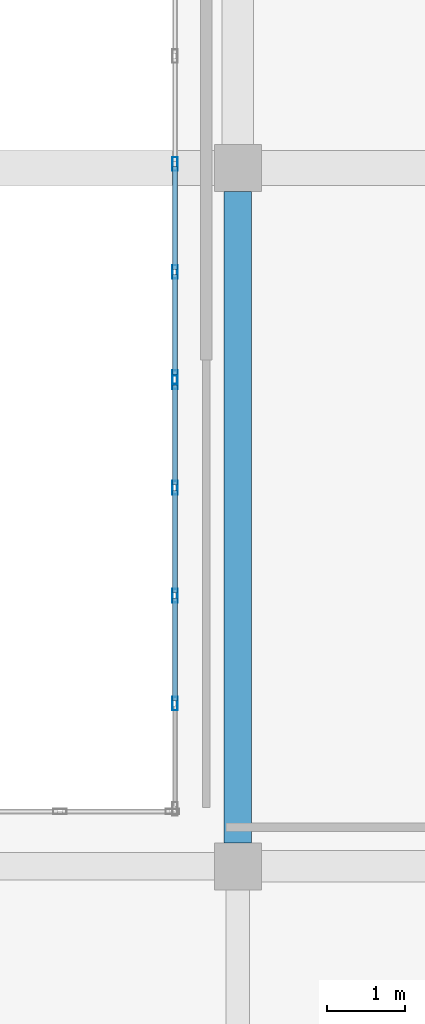
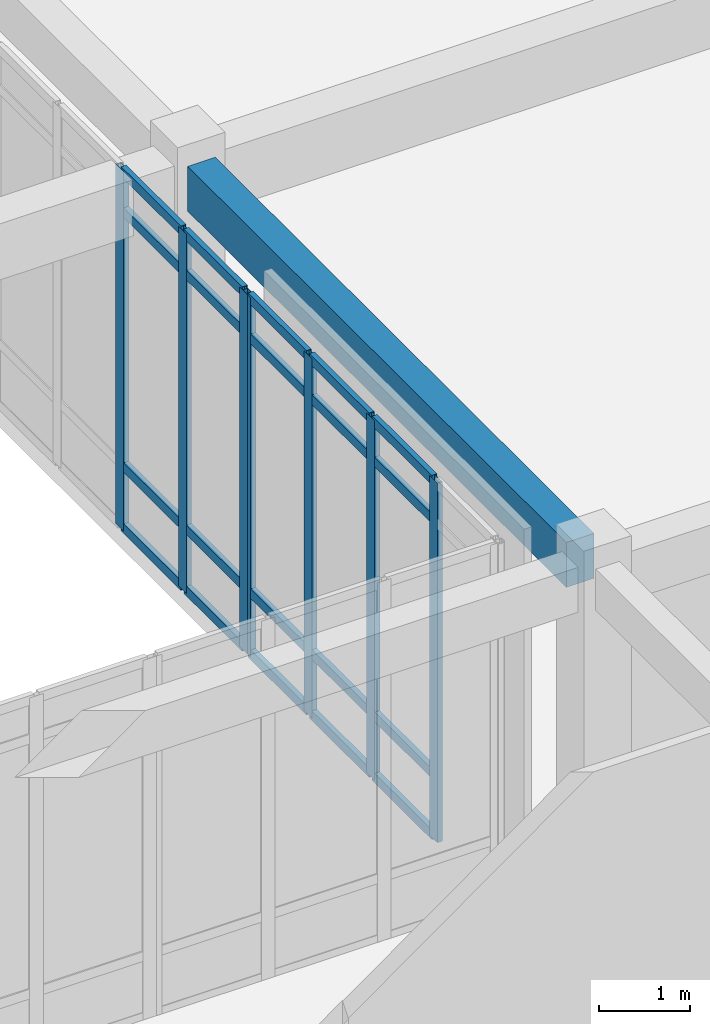
# One storey, part 53 of 121: 27 members, 1 beam, 2 elements without a shape of their own.
"""IFC4 building model written with IfcOpenShell, lengths in metres."""

from ifc_helpers import new_model, si_unit, direction, frame, origin, origin_2d, place, context, subcontext, project, spatial, rectangle, hollow_rectangle, extrude, material, layer, layer_set, material_profile, profile_set, type_object, element, aggregate, save


model = new_model("IFC4")

# Units and contexts
model_context = context("Model", 3, precision=1e-05, world=origin(), true_north=direction((0.0, 1.0)))
body_context = subcontext(model_context, "Body", "Model", "MODEL_VIEW")
ifc_project = project(units=[si_unit("LENGTHUNIT", "METRE"), si_unit("AREAUNIT", "SQUARE_METRE"), si_unit("VOLUMEUNIT", "CUBIC_METRE"), si_unit("PLANEANGLEUNIT", "RADIAN"), si_unit("MASSUNIT", "GRAM", prefix="KILO")], contexts=[model_context])

# Site, building, storey
site_placement = place(None, origin())
site = spatial("IfcSite", under=ifc_project, at=site_placement, CompositionType="ELEMENT")
building_placement = place(site_placement, origin())
building = spatial("IfcBuilding", under=site, at=building_placement, Name="Valcora Specialist Clinic", CompositionType="ELEMENT")
storey_placement = place(building_placement, origin())
storey = spatial("IfcBuildingStorey", under=building, at=storey_placement, Name="L00", CompositionType="ELEMENT", Elevation=0.0)

# Beam
ifc_material_1 = material(Name="Concrete C40/50", Category="concrete")
ifc_material_profile_1 = material_profile(ifc_material_1, rectangle(XDim=0.35009765625, YDim=0.60009765625, at=origin_2d()), Name="RC-BM-350X600")
ifc_profile_set_1 = profile_set([ifc_material_profile_1], Name="Concrete C40/50")
beam_type = type_object("IfcBeamType", Name="TY-BM-RC350X600", PredefinedType="BEAM", material=ifc_profile_set_1)
beam_placement = place(storey_placement, frame((90.800048828125, 81.60009765625, 4.510009765625), z_axis=(0.0, 1.0, 0.0), x_axis=(-1.0, 0.0, 0.0)))
element("IfcBeam", 1, at=beam_placement, inside=storey, type_object=beam_type, Name="Beam BM-L00-0588", PredefinedType="BEAM", context=body_context, shape_type="SweptSolid", body=[
    extrude(rectangle(XDim=0.35009765625, YDim=0.60009765625, at=origin_2d()), origin(), (0.0, 0.0, 1.0), 8.2998046875),
])

# Curtain wall, members
ifc_material_2 = material(Name="Anodized Bronze Aluminium 6063-T6", Category="aluminium")
ifc_layer = layer(ifc_material_2, 0.175048828125)
ifc_layer_set = layer_set([ifc_layer], Name="Anodized Bronze Aluminium 6063-T6")
curtain_wall_type = type_object("IfcCurtainWallType", Name="TY-CW-CRT15", PredefinedType="NOTDEFINED", material=ifc_layer_set)
curtain_wall_1_placement = place(storey_placement, origin())
curtain_wall_1 = element("IfcCurtainWall", 2, at=curtain_wall_1_placement, inside=storey, type_object=curtain_wall_type, Name="Curtain wall CW-L00-032", PredefinedType="NOTDEFINED")
ifc_material_profile_2 = material_profile(ifc_material_2, hollow_rectangle(XDim=0.06494140625, YDim=0.175048828125, WallThickness=0.00390625, at=origin_2d()), Name="AL-MUL-65X175")
ifc_profile_set_2 = profile_set([ifc_material_profile_2], Name="Anodized Bronze Aluminium 6063-T6")
member_type_1 = type_object("IfcMemberType", Name="TY-CWM-65X175", PredefinedType="MULLION", material=ifc_profile_set_2)
member_1_placement = place(storey_placement, frame((90.0, 83.375, 0.0), z_axis=(0.0, 0.0, 1.0), x_axis=(-1.0, 0.0, 0.0)))
member_1 = element("IfcMember", 3, at=member_1_placement, type_object=member_type_1, Name="CW-CRT-15 mullion 2", PredefinedType="MULLION", context=body_context, shape_type="SweptSolid", body=[
    extrude(hollow_rectangle(XDim=0.06494140625, YDim=0.175048828125, WallThickness=0.00390625, at=origin_2d()), origin(), (0.0, 0.0, 1.0), 4.81005859375),
])
member_2_placement = place(storey_placement, frame((90.0, 84.75, 0.0), z_axis=(0.0, 0.0, 1.0), x_axis=(-1.0, 0.0, 0.0)))
member_2 = element("IfcMember", 4, at=member_2_placement, type_object=member_type_1, Name="CW-CRT-15 mullion 3", PredefinedType="MULLION", context=body_context, shape_type="SweptSolid", body=[
    extrude(hollow_rectangle(XDim=0.06494140625, YDim=0.175048828125, WallThickness=0.00390625, at=origin_2d()), origin(), (0.0, 0.0, 1.0), 4.81005859375),
])
member_3_placement = place(storey_placement, frame((90.0, 86.125, 0.0), z_axis=(0.0, 0.0, 1.0), x_axis=(-1.0, 0.0, 0.0)))
member_3 = element("IfcMember", 5, at=member_3_placement, type_object=member_type_1, Name="CW-CRT-15 mullion 4", PredefinedType="MULLION", context=body_context, shape_type="SweptSolid", body=[
    extrude(hollow_rectangle(XDim=0.06494140625, YDim=0.175048828125, WallThickness=0.00390625, at=origin_2d()), origin(), (0.0, 0.0, 1.0), 4.81005859375),
])
member_4_placement = place(storey_placement, frame((90.0, 87.467529296875, 0.0), z_axis=(0.0, 0.0, 1.0), x_axis=(-1.0, 0.0, 0.0)))
member_4 = element("IfcMember", 6, at=member_4_placement, type_object=member_type_1, Name="CW-CRT-15 mullion 5", PredefinedType="MULLION", context=body_context, shape_type="SweptSolid", body=[
    extrude(hollow_rectangle(XDim=0.06494140625, YDim=0.175048828125, WallThickness=0.00390625, at=origin_2d()), origin(), (0.0, 0.0, 1.0), 4.81005859375),
])

curtain_wall_2_placement = place(storey_placement, origin())
curtain_wall_2 = element("IfcCurtainWall", 7, at=curtain_wall_2_placement, inside=storey, type_object=curtain_wall_type, Name="Curtain wall CW-L00-033", PredefinedType="NOTDEFINED")
member_5_placement = place(storey_placement, frame((90.0, 87.532470703125, 0.0), z_axis=(0.0, 0.0, 1.0), x_axis=(-1.0, 0.0, 0.0)))
member_5 = element("IfcMember", 8, at=member_5_placement, type_object=member_type_1, Name="CW-CRT-15 mullion 1", PredefinedType="MULLION", context=body_context, shape_type="SweptSolid", body=[
    extrude(hollow_rectangle(XDim=0.06494140625, YDim=0.175048828125, WallThickness=0.00390625, at=origin_2d()), origin(), (0.0, 0.0, 1.0), 4.81005859375),
])
member_6_placement = place(storey_placement, frame((90.0, 88.875, 0.0), z_axis=(0.0, 0.0, 1.0), x_axis=(-1.0, 0.0, 0.0)))
member_6 = element("IfcMember", 9, at=member_6_placement, type_object=member_type_1, Name="CW-CRT-15 mullion 2", PredefinedType="MULLION", context=body_context, shape_type="SweptSolid", body=[
    extrude(hollow_rectangle(XDim=0.06494140625, YDim=0.175048828125, WallThickness=0.00390625, at=origin_2d()), origin(), (0.0, 0.0, 1.0), 4.81005859375),
])
member_7_placement = place(storey_placement, frame((90.0, 90.25, 0.0), z_axis=(0.0, 0.0, 1.0), x_axis=(-1.0, 0.0, 0.0)))
member_7 = element("IfcMember", 10, at=member_7_placement, type_object=member_type_1, Name="CW-CRT-15 mullion 3", PredefinedType="MULLION", context=body_context, shape_type="SweptSolid", body=[
    extrude(hollow_rectangle(XDim=0.06494140625, YDim=0.175048828125, WallThickness=0.00390625, at=origin_2d()), origin(), (0.0, 0.0, 1.0), 4.81005859375),
])

# Member
ifc_material_profile_3 = material_profile(ifc_material_2, hollow_rectangle(XDim=0.06494140625, YDim=0.1298828125, WallThickness=0.00390625, at=origin_2d()), Name="AL-TRN-65X130")
ifc_profile_set_3 = profile_set([ifc_material_profile_3], Name="Anodized Bronze Aluminium 6063-T6")
member_type_2 = type_object("IfcMemberType", Name="TY-CWT-65X130", PredefinedType="USERDEFINED", material=ifc_profile_set_3)
member_8_placement = place(storey_placement, frame((90.0, 83.407470703125, 0.032470703125), z_axis=(0.0, 1.0, 0.0), x_axis=(-1.0, 0.0, 0.0)))
member_8 = element("IfcMember", 11, at=member_8_placement, type_object=member_type_2, Name="CW-CRT-15 transom 2.1", ObjectType="TRANSOM", PredefinedType="USERDEFINED", context=body_context, shape_type="SweptSolid", body=[
    extrude(hollow_rectangle(XDim=0.06494140625, YDim=0.1298828125, WallThickness=0.00390625, at=origin_2d()), origin(), (0.0, 0.0, 1.0), 1.31005859375),
])

member_9_placement = place(storey_placement, frame((90.0, 83.407470703125, 0.85009765625), z_axis=(0.0, 1.0, 0.0), x_axis=(-1.0, 0.0, 0.0)))
member_9 = element("IfcMember", 12, at=member_9_placement, type_object=member_type_2, Name="CW-CRT-15 transom 2.2", ObjectType="TRANSOM", PredefinedType="USERDEFINED", context=body_context, shape_type="SweptSolid", body=[
    extrude(hollow_rectangle(XDim=0.06494140625, YDim=0.1298828125, WallThickness=0.00390625, at=origin_2d()), origin(), (0.0, 0.0, 1.0), 1.31005859375),
])

member_10_placement = place(storey_placement, frame((90.0, 83.407470703125, 4.260009765625), z_axis=(0.0, 1.0, 0.0), x_axis=(-1.0, 0.0, 0.0)))
member_10 = element("IfcMember", 13, at=member_10_placement, type_object=member_type_2, Name="CW-CRT-15 transom 2.3", ObjectType="TRANSOM", PredefinedType="USERDEFINED", context=body_context, shape_type="SweptSolid", body=[
    extrude(hollow_rectangle(XDim=0.06494140625, YDim=0.1298828125, WallThickness=0.00390625, at=origin_2d()), origin(), (0.0, 0.0, 1.0), 1.31005859375),
])

member_11_placement = place(storey_placement, frame((90.0, 83.407470703125, 4.777587890625), z_axis=(0.0, 1.0, 0.0), x_axis=(-1.0, 0.0, 0.0)))
member_11 = element("IfcMember", 14, at=member_11_placement, type_object=member_type_2, Name="CW-CRT-15 transom 2.4", ObjectType="TRANSOM", PredefinedType="USERDEFINED", context=body_context, shape_type="SweptSolid", body=[
    extrude(hollow_rectangle(XDim=0.06494140625, YDim=0.1298828125, WallThickness=0.00390625, at=origin_2d()), origin(), (0.0, 0.0, 1.0), 1.31005859375),
])

member_12_placement = place(storey_placement, frame((90.0, 84.782470703125, 0.032470703125), z_axis=(0.0, 1.0, 0.0), x_axis=(-1.0, 0.0, 0.0)))
member_12 = element("IfcMember", 15, at=member_12_placement, type_object=member_type_2, Name="CW-CRT-15 transom 3.1", ObjectType="TRANSOM", PredefinedType="USERDEFINED", context=body_context, shape_type="SweptSolid", body=[
    extrude(hollow_rectangle(XDim=0.06494140625, YDim=0.1298828125, WallThickness=0.00390625, at=origin_2d()), origin(), (0.0, 0.0, 1.0), 1.31005859375),
])

member_13_placement = place(storey_placement, frame((90.0, 84.782470703125, 0.85009765625), z_axis=(0.0, 1.0, 0.0), x_axis=(-1.0, 0.0, 0.0)))
member_13 = element("IfcMember", 16, at=member_13_placement, type_object=member_type_2, Name="CW-CRT-15 transom 3.2", ObjectType="TRANSOM", PredefinedType="USERDEFINED", context=body_context, shape_type="SweptSolid", body=[
    extrude(hollow_rectangle(XDim=0.06494140625, YDim=0.1298828125, WallThickness=0.00390625, at=origin_2d()), origin(), (0.0, 0.0, 1.0), 1.31005859375),
])

member_14_placement = place(storey_placement, frame((90.0, 84.782470703125, 4.260009765625), z_axis=(0.0, 1.0, 0.0), x_axis=(-1.0, 0.0, 0.0)))
member_14 = element("IfcMember", 17, at=member_14_placement, type_object=member_type_2, Name="CW-CRT-15 transom 3.3", ObjectType="TRANSOM", PredefinedType="USERDEFINED", context=body_context, shape_type="SweptSolid", body=[
    extrude(hollow_rectangle(XDim=0.06494140625, YDim=0.1298828125, WallThickness=0.00390625, at=origin_2d()), origin(), (0.0, 0.0, 1.0), 1.31005859375),
])

member_15_placement = place(storey_placement, frame((90.0, 84.782470703125, 4.777587890625), z_axis=(0.0, 1.0, 0.0), x_axis=(-1.0, 0.0, 0.0)))
member_15 = element("IfcMember", 18, at=member_15_placement, type_object=member_type_2, Name="CW-CRT-15 transom 3.4", ObjectType="TRANSOM", PredefinedType="USERDEFINED", context=body_context, shape_type="SweptSolid", body=[
    extrude(hollow_rectangle(XDim=0.06494140625, YDim=0.1298828125, WallThickness=0.00390625, at=origin_2d()), origin(), (0.0, 0.0, 1.0), 1.31005859375),
])

member_16_placement = place(storey_placement, frame((90.0, 86.157470703125, 0.032470703125), z_axis=(0.0, 1.0, 0.0), x_axis=(-1.0, 0.0, 0.0)))
member_16 = element("IfcMember", 19, at=member_16_placement, type_object=member_type_2, Name="CW-CRT-15 transom 4.1", ObjectType="TRANSOM", PredefinedType="USERDEFINED", context=body_context, shape_type="SweptSolid", body=[
    extrude(hollow_rectangle(XDim=0.06494140625, YDim=0.1298828125, WallThickness=0.00390625, at=origin_2d()), origin(), (0.0, 0.0, 1.0), 1.277587890625),
])

member_17_placement = place(storey_placement, frame((90.0, 86.157470703125, 0.85009765625), z_axis=(0.0, 1.0, 0.0), x_axis=(-1.0, 0.0, 0.0)))
member_17 = element("IfcMember", 20, at=member_17_placement, type_object=member_type_2, Name="CW-CRT-15 transom 4.2", ObjectType="TRANSOM", PredefinedType="USERDEFINED", context=body_context, shape_type="SweptSolid", body=[
    extrude(hollow_rectangle(XDim=0.06494140625, YDim=0.1298828125, WallThickness=0.00390625, at=origin_2d()), origin(), (0.0, 0.0, 1.0), 1.277587890625),
])

member_18_placement = place(storey_placement, frame((90.0, 86.157470703125, 4.260009765625), z_axis=(0.0, 1.0, 0.0), x_axis=(-1.0, 0.0, 0.0)))
member_18 = element("IfcMember", 21, at=member_18_placement, type_object=member_type_2, Name="CW-CRT-15 transom 4.3", ObjectType="TRANSOM", PredefinedType="USERDEFINED", context=body_context, shape_type="SweptSolid", body=[
    extrude(hollow_rectangle(XDim=0.06494140625, YDim=0.1298828125, WallThickness=0.00390625, at=origin_2d()), origin(), (0.0, 0.0, 1.0), 1.277587890625),
])

member_19_placement = place(storey_placement, frame((90.0, 86.157470703125, 4.777587890625), z_axis=(0.0, 1.0, 0.0), x_axis=(-1.0, 0.0, 0.0)))
member_19 = element("IfcMember", 22, at=member_19_placement, type_object=member_type_2, Name="CW-CRT-15 transom 4.4", ObjectType="TRANSOM", PredefinedType="USERDEFINED", context=body_context, shape_type="SweptSolid", body=[
    extrude(hollow_rectangle(XDim=0.06494140625, YDim=0.1298828125, WallThickness=0.00390625, at=origin_2d()), origin(), (0.0, 0.0, 1.0), 1.277587890625),
])

aggregate(curtain_wall_1, [member_1, member_2, member_3, member_4, member_8, member_9, member_10, member_11, member_12, member_13, member_14, member_15, member_16, member_17, member_18, member_19])

member_20_placement = place(storey_placement, frame((90.0, 87.56494140625, 0.032470703125), z_axis=(0.0, 1.0, 0.0), x_axis=(-1.0, 0.0, 0.0)))
member_20 = element("IfcMember", 23, at=member_20_placement, type_object=member_type_2, Name="CW-CRT-15 transom 1.1", ObjectType="TRANSOM", PredefinedType="USERDEFINED", context=body_context, shape_type="SweptSolid", body=[
    extrude(hollow_rectangle(XDim=0.06494140625, YDim=0.1298828125, WallThickness=0.00390625, at=origin_2d()), origin(), (0.0, 0.0, 1.0), 1.277587890625),
])

member_21_placement = place(storey_placement, frame((90.0, 87.56494140625, 0.85009765625), z_axis=(0.0, 1.0, 0.0), x_axis=(-1.0, 0.0, 0.0)))
member_21 = element("IfcMember", 24, at=member_21_placement, type_object=member_type_2, Name="CW-CRT-15 transom 1.2", ObjectType="TRANSOM", PredefinedType="USERDEFINED", context=body_context, shape_type="SweptSolid", body=[
    extrude(hollow_rectangle(XDim=0.06494140625, YDim=0.1298828125, WallThickness=0.00390625, at=origin_2d()), origin(), (0.0, 0.0, 1.0), 1.277587890625),
])

member_22_placement = place(storey_placement, frame((90.0, 87.56494140625, 4.260009765625), z_axis=(0.0, 1.0, 0.0), x_axis=(-1.0, 0.0, 0.0)))
member_22 = element("IfcMember", 25, at=member_22_placement, type_object=member_type_2, Name="CW-CRT-15 transom 1.3", ObjectType="TRANSOM", PredefinedType="USERDEFINED", context=body_context, shape_type="SweptSolid", body=[
    extrude(hollow_rectangle(XDim=0.06494140625, YDim=0.1298828125, WallThickness=0.00390625, at=origin_2d()), origin(), (0.0, 0.0, 1.0), 1.277587890625),
])

member_23_placement = place(storey_placement, frame((90.0, 87.56494140625, 4.777587890625), z_axis=(0.0, 1.0, 0.0), x_axis=(-1.0, 0.0, 0.0)))
member_23 = element("IfcMember", 26, at=member_23_placement, type_object=member_type_2, Name="CW-CRT-15 transom 1.4", ObjectType="TRANSOM", PredefinedType="USERDEFINED", context=body_context, shape_type="SweptSolid", body=[
    extrude(hollow_rectangle(XDim=0.06494140625, YDim=0.1298828125, WallThickness=0.00390625, at=origin_2d()), origin(), (0.0, 0.0, 1.0), 1.277587890625),
])

member_24_placement = place(storey_placement, frame((90.0, 88.907470703125, 0.032470703125), z_axis=(0.0, 1.0, 0.0), x_axis=(-1.0, 0.0, 0.0)))
member_24 = element("IfcMember", 27, at=member_24_placement, type_object=member_type_2, Name="CW-CRT-15 transom 2.1", ObjectType="TRANSOM", PredefinedType="USERDEFINED", context=body_context, shape_type="SweptSolid", body=[
    extrude(hollow_rectangle(XDim=0.06494140625, YDim=0.1298828125, WallThickness=0.00390625, at=origin_2d()), origin(), (0.0, 0.0, 1.0), 1.31005859375),
])

member_25_placement = place(storey_placement, frame((90.0, 88.907470703125, 0.85009765625), z_axis=(0.0, 1.0, 0.0), x_axis=(-1.0, 0.0, 0.0)))
member_25 = element("IfcMember", 28, at=member_25_placement, type_object=member_type_2, Name="CW-CRT-15 transom 2.2", ObjectType="TRANSOM", PredefinedType="USERDEFINED", context=body_context, shape_type="SweptSolid", body=[
    extrude(hollow_rectangle(XDim=0.06494140625, YDim=0.1298828125, WallThickness=0.00390625, at=origin_2d()), origin(), (0.0, 0.0, 1.0), 1.31005859375),
])

member_26_placement = place(storey_placement, frame((90.0, 88.907470703125, 4.260009765625), z_axis=(0.0, 1.0, 0.0), x_axis=(-1.0, 0.0, 0.0)))
member_26 = element("IfcMember", 29, at=member_26_placement, type_object=member_type_2, Name="CW-CRT-15 transom 2.3", ObjectType="TRANSOM", PredefinedType="USERDEFINED", context=body_context, shape_type="SweptSolid", body=[
    extrude(hollow_rectangle(XDim=0.06494140625, YDim=0.1298828125, WallThickness=0.00390625, at=origin_2d()), origin(), (0.0, 0.0, 1.0), 1.31005859375),
])

member_27_placement = place(storey_placement, frame((90.0, 88.907470703125, 4.777587890625), z_axis=(0.0, 1.0, 0.0), x_axis=(-1.0, 0.0, 0.0)))
member_27 = element("IfcMember", 30, at=member_27_placement, type_object=member_type_2, Name="CW-CRT-15 transom 2.4", ObjectType="TRANSOM", PredefinedType="USERDEFINED", context=body_context, shape_type="SweptSolid", body=[
    extrude(hollow_rectangle(XDim=0.06494140625, YDim=0.1298828125, WallThickness=0.00390625, at=origin_2d()), origin(), (0.0, 0.0, 1.0), 1.31005859375),
])

aggregate(curtain_wall_2, [member_5, member_6, member_7, member_20, member_21, member_22, member_23, member_24, member_25, member_26, member_27])

save(model, "model.ifc")
